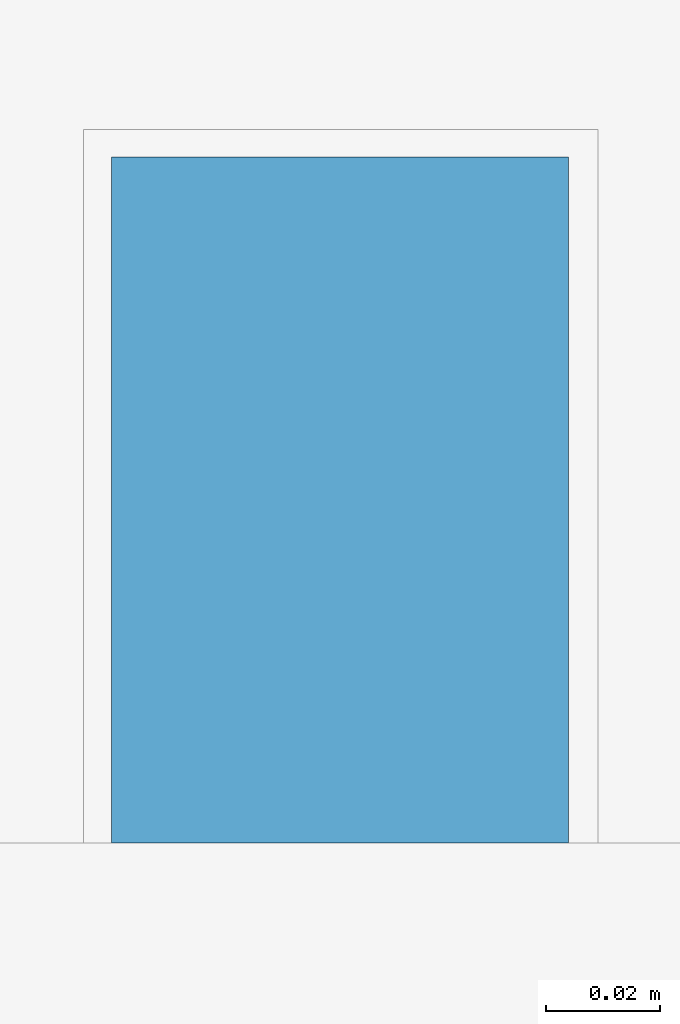
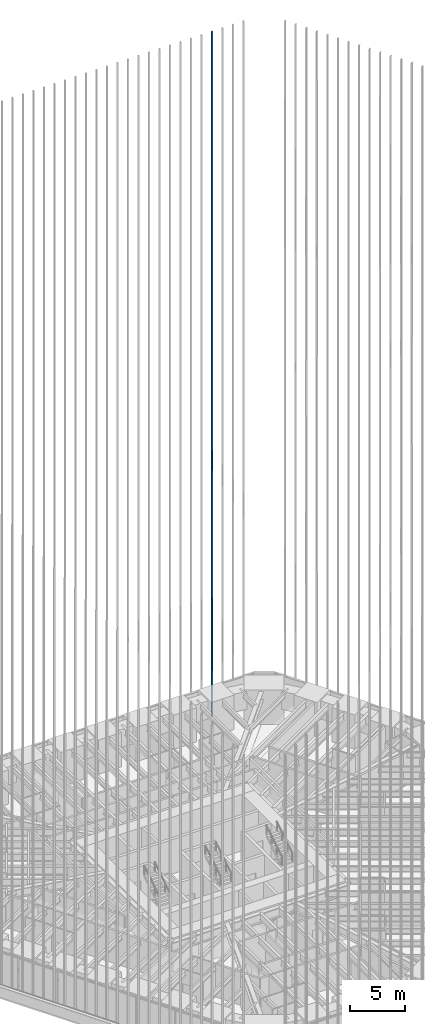
# One storey, part 216 of 238: 1 member, 1 element without a shape of its own.
"""IFC4 building model written with IfcOpenShell, lengths in metres."""

import ifcopenshell
import ifcopenshell.guid

model = None  # the IFC model being written
_history = None  # IfcOwnerHistory: only IFC2X3 demands one
_inside = {}  # id of a spatial element -> (the spatial element, [elements in it])
_under = {}  # id of a project, library or spatial element -> (it, [spatial elements below it])
_declared = {}  # id of a project -> (the project, [libraries it declares])
_typed = {}  # id of a type object -> (the type object, [elements of that type])
_made_of = {}  # id of a material, layer set ... -> (it, [elements and type objects made of it])


def new_model(schema):
    """Start an empty IFC model of exactly this schema.

    Asked for "IFC4X3", IfcOpenShell would pick the latest addendum, in which some entities
    have other attributes; the version numbers below select the first issue.
    IFC2X3 requires an IfcOwnerHistory on every rooted entity: one is made here for all.
    """
    global model, _history
    if schema == "IFC4X3":
        model = ifcopenshell.file(schema_version=(4, 3, 0, 0))
    else:
        model = ifcopenshell.file(schema=schema)
    _inside.clear()
    _under.clear()
    _declared.clear()
    _typed.clear()
    _made_of.clear()
    _history = None
    if model.schema == "IFC2X3":
        org = make("IfcOrganization", Name="unknown")
        user = make(
            "IfcPersonAndOrganization",
            ThePerson=make("IfcPerson", FamilyName="unknown"),
            TheOrganization=org,
        )
        app = make(
            "IfcApplication",
            ApplicationDeveloper=org,
            Version="unknown",
            ApplicationFullName="unknown",
            ApplicationIdentifier="unknown",
        )
        _history = make(
            "IfcOwnerHistory",
            OwningUser=user,
            OwningApplication=app,
            ChangeAction="ADDED",
            CreationDate=0,
        )
    return model


def make(cls, **values):
    """One entity of the class cls with the attributes given. An attribute that is None is left unset."""
    return model.create_entity(
        cls, **{name: value for name, value in values.items() if value is not None}
    )


def rooted(cls, **values):
    """An entity with a GlobalId (a new one), such as an element, a storey or a relation."""
    return make(cls, GlobalId=ifcopenshell.guid.new(), OwnerHistory=_history, **values)


def si_unit(unit_type, name, prefix=None):
    """IfcSIUnit, for example si_unit("LENGTHUNIT", "METRE", prefix="MILLI")."""
    return make("IfcSIUnit", UnitType=unit_type, Prefix=prefix, Name=name)


def assignment(units):
    """IfcUnitAssignment: the units of a project."""
    return None if units is None else make("IfcUnitAssignment", Units=units)


def point(xyz):
    """IfcCartesianPoint."""
    return None if xyz is None else make("IfcCartesianPoint", Coordinates=xyz)


def direction(xyz):
    """IfcDirection."""
    return None if xyz is None else make("IfcDirection", DirectionRatios=xyz)


def frame(location, z_axis=None, x_axis=None):
    """IfcAxis2Placement3D, a coordinate frame: its origin and axes. An axis left out is left unset."""
    return make(
        "IfcAxis2Placement3D",
        Location=point(location),
        Axis=direction(z_axis),
        RefDirection=direction(x_axis),
    )


def frame_2d(location, x_axis=None):
    """IfcAxis2Placement2D, a coordinate frame in the plane: its origin and x axis."""
    return make(
        "IfcAxis2Placement2D", Location=point(location), RefDirection=direction(x_axis)
    )


def origin():
    """The frame at (0, 0, 0) with its axes left unset."""
    return frame((0.0, 0.0, 0.0))


def origin_2d():
    """The frame at (0, 0) in the plane with its x axis left unset."""
    return frame_2d((0.0, 0.0))


def place(relative_to, where):
    """IfcLocalPlacement: puts the frame where relative to a parent placement (None: the world)."""
    return make(
        "IfcLocalPlacement", PlacementRelTo=relative_to, RelativePlacement=where
    )


def context(
    kind, dimensions, precision=None, world=None, true_north=None, identifier=None
):
    """IfcGeometricRepresentationContext, for example the 3D "Model" context."""
    return make(
        "IfcGeometricRepresentationContext",
        ContextIdentifier=identifier,
        ContextType=kind,
        CoordinateSpaceDimension=dimensions,
        Precision=precision,
        WorldCoordinateSystem=world,
        TrueNorth=true_north,
    )


def subcontext(parent, identifier, kind, view, scale=None):
    """IfcGeometricRepresentationSubContext, for example "Body" below "Model"."""
    return make(
        "IfcGeometricRepresentationSubContext",
        ContextIdentifier=identifier,
        ContextType=kind,
        ParentContext=parent,
        TargetScale=scale,
        TargetView=view,
    )


def project(units=None, contexts=None):
    """IfcProject with its units and contexts."""
    return rooted(
        "IfcProject",
        Name="project",
        RepresentationContexts=contexts,
        UnitsInContext=assignment(units),
    )


def spatial(cls, under=None, at=None, **own):
    """A site, building, storey or space (cls), placed at a placement, below another one or the project."""
    s = rooted(cls, ObjectPlacement=at, **own)
    if under is not None:
        _under.setdefault(under.id(), (under, []))[1].append(s)
    return s


def profile(cls, at=None, kind="AREA", **sizes):
    """A parametric profile (cls). Its sizes go by their IFC names, for example OverallWidth=200.0."""
    return make(cls, ProfileType=kind, Position=at, **sizes)


def rectangle(**sizes):
    """IfcRectangleProfileDef."""
    return profile("IfcRectangleProfileDef", **sizes)


def extrude(swept, where, along, depth):
    """IfcExtrudedAreaSolid: the profile swept, set in the frame where, extruded along a direction by depth."""
    return make(
        "IfcExtrudedAreaSolid",
        SweptArea=swept,
        Position=where,
        ExtrudedDirection=direction(along),
        Depth=depth,
    )


def shape(context_of_items, identifier, shape_type, items):
    """IfcShapeRepresentation: the items that make up one representation, for example the "Body"."""
    return make(
        "IfcShapeRepresentation",
        ContextOfItems=context_of_items,
        RepresentationIdentifier=identifier,
        RepresentationType=shape_type,
        Items=items,
    )


def material(Name=None, Category=None):
    """IfcMaterial."""
    return make("IfcMaterial", Name=Name, Category=Category)


def material_profile(
    of_material, cross_section, Name=None, Category=None, Priority=None
):
    """IfcMaterialProfile: a cross section and its material."""
    return make(
        "IfcMaterialProfile",
        Name=Name,
        Material=of_material,
        Profile=cross_section,
        Priority=Priority,
        Category=Category,
    )


def profile_set(profiles, Name=None, composite=None):
    """IfcMaterialProfileSet."""
    return make(
        "IfcMaterialProfileSet",
        Name=Name,
        MaterialProfiles=profiles,
        CompositeProfile=composite,
    )


def made_of(thing, what):
    """Note that an element or type object is made of a material, layer set ...; save() writes the relation."""
    if what is not None:
        _made_of.setdefault(what.id(), (what, []))[1].append(thing)
    return thing


def type_object(cls, material=None, **own):
    """A type object (cls), such as IfcWallType, which elements share."""
    return made_of(rooted(cls, **own), material)


def element(
    cls,
    number,
    at=None,
    inside=None,
    cuts=None,
    type_object=None,
    material=None,
    context=None,
    identifier="Body",
    shape_type=None,
    held_by="IfcProductDefinitionShape",
    body=None,
    shapes=None,
    **own,
):
    """One element of the class cls, such as IfcWall. Its Tag is "e" and its number.

    at: its placement. inside: the storey or other place that contains it. cuts: it is an
    opening in that element (IfcRelVoidsElement). A single representation is given by context,
    identifier, shape_type and body (its items); several are given by shapes. held_by: the class
    of the entity that holds the representations. save() writes the other relations.
    """
    e = rooted(cls, Tag="e%d" % number, ObjectPlacement=at, **own)
    if body is not None:
        shapes = [shape(context, identifier, shape_type, body)]
    if shapes is not None:
        e.Representation = make(held_by, Representations=shapes)
    if inside is not None:
        _inside.setdefault(inside.id(), (inside, []))[1].append(e)
    if cuts is not None:
        rooted(
            "IfcRelVoidsElement", RelatingBuildingElement=cuts, RelatedOpeningElement=e
        )
    if type_object is not None:
        _typed.setdefault(type_object.id(), (type_object, []))[1].append(e)
    return made_of(e, material)


def aggregate(whole, parts):
    """IfcRelAggregates: a whole, such as a stair, and the parts it consists of."""
    return rooted("IfcRelAggregates", RelatingObject=whole, RelatedObjects=parts)


def save(model, path):
    """Write the relations noted so far, then the file.

    IfcRelAggregates (storeys below a building ...), IfcRelContainedInSpatialStructure (elements
    in a storey), IfcRelDefinesByType, IfcRelAssociatesMaterial and IfcRelDeclares: one each for
    every whole, place, type object, material and project.
    """
    for whole, parts in _under.values():
        aggregate(whole, parts)
    for where, things in _inside.values():
        rooted(
            "IfcRelContainedInSpatialStructure",
            RelatedElements=things,
            RelatingStructure=where,
        )
    for kind, things in _typed.values():
        rooted("IfcRelDefinesByType", RelatedObjects=things, RelatingType=kind)
    for what, things in _made_of.values():
        rooted("IfcRelAssociatesMaterial", RelatedObjects=things, RelatingMaterial=what)
    for by, libraries in _declared.values():
        rooted("IfcRelDeclares", RelatingContext=by, RelatedDefinitions=libraries)
    model.write(path)


model = new_model("IFC4")

# Units and contexts
model_context = context("Model", 3, precision=1e-05, world=origin(), true_north=direction((0.0, 1.0)))
body_context = subcontext(model_context, "Body", "Model", "MODEL_VIEW")
ifc_project = project(units=[si_unit("LENGTHUNIT", "METRE"), si_unit("AREAUNIT", "SQUARE_METRE"), si_unit("VOLUMEUNIT", "CUBIC_METRE"), si_unit("PLANEANGLEUNIT", "RADIAN"), si_unit("MASSUNIT", "GRAM", prefix="KILO")], contexts=[model_context])

# Site, building, storey
site_placement = place(None, origin())
site = spatial("IfcSite", under=ifc_project, at=site_placement, CompositionType="ELEMENT")
building_placement = place(site_placement, origin())
building = spatial("IfcBuilding", under=site, at=building_placement, Name="Sandreach Pilgrim Tower", CompositionType="ELEMENT")
storey_placement = place(building_placement, frame((0.0, 0.0, 96.800048828125)))
storey = spatial("IfcBuildingStorey", under=building, at=storey_placement, Name="L23", CompositionType="ELEMENT", Elevation=96.800048828125)

# Curtain wall, member
ifc_material_1 = material(Name="Aluminium framed curtain wall", Category="aluminium")
curtain_wall_type = type_object("IfcCurtainWallType", Name="Hotel tower curtain wall", PredefinedType="NOTDEFINED", material=ifc_material_1)
curtain_wall_placement = place(storey_placement, origin())
curtain_wall = element("IfcCurtainWall", 1, at=curtain_wall_placement, inside=storey, type_object=curtain_wall_type, Name="CW-2 L23 N", PredefinedType="NOTDEFINED")
ifc_material_2 = material(Name="Extruded terracotta on aluminium core", Category="masonry")
ifc_material_profile = material_profile(ifc_material_2, rectangle(XDim=0.080078125, YDim=0.1201171875, at=origin_2d()), Name="TBN 80X120")
ifc_profile_set = profile_set([ifc_material_profile], Name="Extruded terracotta on aluminium core")
member_type = type_object("IfcMemberType", Name="Terracotta baguette north", PredefinedType="USERDEFINED", material=ifc_profile_set)
member_placement = place(storey_placement, frame((14.291748046875, 22.853759765625, 0.0), z_axis=(0.0, 0.0, 1.0), x_axis=(1.0, 0.0, 0.0)))
member = element("IfcMember", 2, at=member_placement, type_object=member_type, Name="Baguette Z2 N30", ObjectType="BAGUETTE", PredefinedType="USERDEFINED", context=body_context, shape_type="SweptSolid", body=[
    extrude(rectangle(XDim=0.080078125, YDim=0.1201171875, at=origin_2d()), origin(), (0.0, 0.0, 1.0), 75.83984375),
])
aggregate(curtain_wall, [member])

save(model, "model.ifc")
